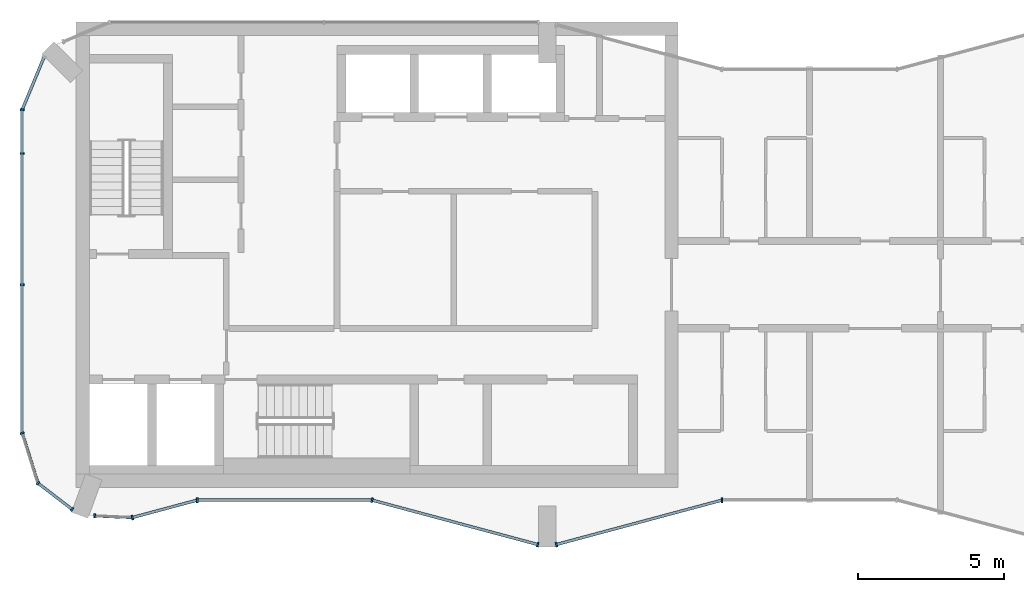
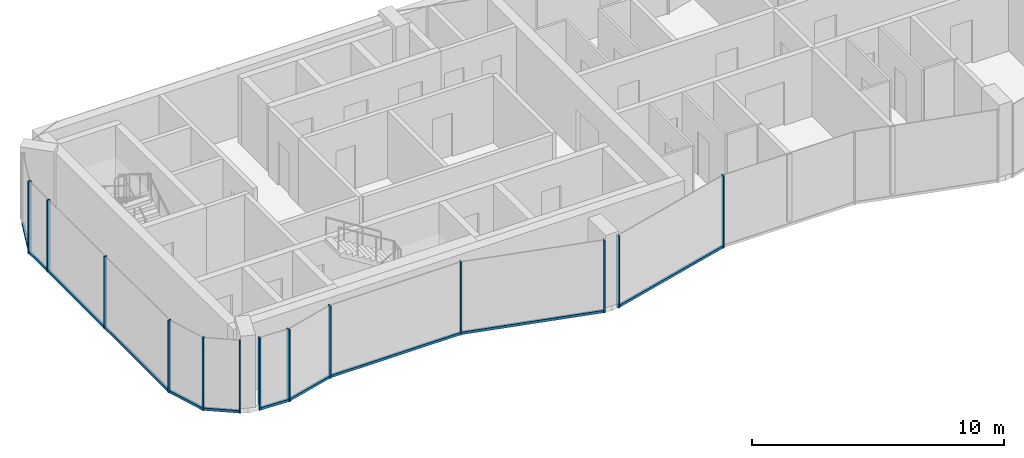
# One storey, part 2 of 10: 22 members, 10 elements without a shape of their own.
"""IFC4 building model written with IfcOpenShell, lengths in metres."""

from ifc_helpers import new_model, si_unit, direction, frame, origin, origin_2d, place, context, subcontext, project, spatial, rectangle, extrude, material, layer, layer_set, material_profile, profile_set, type_object, element, aggregate, save


model = new_model("IFC4")

# Units and contexts
model_context = context("Model", 3, precision=1e-05, world=origin(), true_north=direction((0.0, 1.0)))
body_context = subcontext(model_context, "Body", "Model", "MODEL_VIEW")
ifc_project = project(units=[si_unit("LENGTHUNIT", "METRE"), si_unit("AREAUNIT", "SQUARE_METRE"), si_unit("VOLUMEUNIT", "CUBIC_METRE"), si_unit("PLANEANGLEUNIT", "RADIAN"), si_unit("MASSUNIT", "GRAM", prefix="KILO")], contexts=[model_context])

# Site, building, storey
site_placement = place(None, origin())
site = spatial("IfcSite", under=ifc_project, at=site_placement, CompositionType="ELEMENT")
building_placement = place(site_placement, origin())
building = spatial("IfcBuilding", under=site, at=building_placement, Name="Plateau Cross Towers", CompositionType="ELEMENT")
storey_placement = place(building_placement, frame((0.0, 0.0, 259.89990234375)))
storey = spatial("IfcBuildingStorey", under=building, at=storey_placement, Name="L68", CompositionType="ELEMENT", Elevation=259.89990234375)

# Curtain wall, members
ifc_material_1 = material(Name="Dark low-iron glass", Category="glass")
ifc_layer_1 = layer(ifc_material_1, 0.239990234375)
ifc_layer_set_1 = layer_set([ifc_layer_1], Name="Dark low-iron glass")
curtain_wall_type_1 = type_object("IfcCurtainWallType", Name="Curtain wall flush unitised CW-B", PredefinedType="NOTDEFINED", material=ifc_layer_set_1)
curtain_wall_1_placement = place(storey_placement, origin())
curtain_wall_1 = element("IfcCurtainWall", 1, at=curtain_wall_1_placement, inside=storey, type_object=curtain_wall_type_1, Name="ENV/A/L68/A0_150", PredefinedType="NOTDEFINED")
ifc_material_2 = material(Name="Black anodised aluminium", Category="aluminium")
ifc_material_profile_1 = material_profile(ifc_material_2, rectangle(XDim=0.06005859375, YDim=0.139892578125, at=origin_2d()), Name="MULLION 60x140")
ifc_profile_set_1 = profile_set([ifc_material_profile_1], Name="Black anodised aluminium")
member_type_1 = type_object("IfcMemberType", Name="Mullion 60x140 flush unitised", PredefinedType="MULLION", material=ifc_profile_set_1)
member_1_placement = place(storey_placement, frame((0.0, 15.0, -0.25), z_axis=(0.0, 0.0, 1.0), x_axis=(0.0, -1.0, 0.0)))
member_1 = element("IfcMember", 2, at=member_1_placement, type_object=member_type_1, Name="CW-B mullion 1", PredefinedType="MULLION", context=body_context, shape_type="SweptSolid", body=[
    extrude(rectangle(XDim=0.06005859375, YDim=0.139892578125, at=origin_2d()), origin(), (0.0, 0.0, 1.0), 3.5),
])
member_2_placement = place(storey_placement, frame((0.0, 13.5, -0.25), z_axis=(0.0, 0.0, 1.0), x_axis=(0.0, -1.0, 0.0)))
member_2 = element("IfcMember", 3, at=member_2_placement, type_object=member_type_1, Name="CW-B mullion 2", PredefinedType="MULLION", context=body_context, shape_type="SweptSolid", body=[
    extrude(rectangle(XDim=0.06005859375, YDim=0.139892578125, at=origin_2d()), origin(), (0.0, 0.0, 1.0), 3.5),
])
member_3_placement = place(storey_placement, frame((0.0, 9.0, -0.25), z_axis=(0.0, 0.0, 1.0), x_axis=(0.0, -1.0, 0.0)))
member_3 = element("IfcMember", 4, at=member_3_placement, type_object=member_type_1, Name="CW-B mullion 3", PredefinedType="MULLION", context=body_context, shape_type="SweptSolid", body=[
    extrude(rectangle(XDim=0.06005859375, YDim=0.139892578125, at=origin_2d()), origin(), (0.0, 0.0, 1.0), 3.5),
])

# Curtain wall, member
curtain_wall_2_placement = place(storey_placement, origin())
curtain_wall_2 = element("IfcCurtainWall", 5, at=curtain_wall_2_placement, inside=storey, type_object=curtain_wall_type_1, Name="ENV/A/L68/A0_39", PredefinedType="NOTDEFINED")
member_4_placement = place(storey_placement, frame((0.0, 3.9091796875, -0.25), z_axis=(0.0, 0.0, 1.0), x_axis=(0.300686174994, -0.95372313811, 0.0)))
member_4 = element("IfcMember", 6, at=member_4_placement, type_object=member_type_1, Name="CW-B mullion 1", PredefinedType="MULLION", context=body_context, shape_type="SweptSolid", body=[
    extrude(rectangle(XDim=0.06005859375, YDim=0.139892578125, at=origin_2d()), origin(), (0.0, 0.0, 1.0), 3.5),
])

# Curtain wall, members
curtain_wall_3_placement = place(storey_placement, origin())
curtain_wall_3 = element("IfcCurtainWall", 7, at=curtain_wall_3_placement, inside=storey, type_object=curtain_wall_type_1, Name="ENV/A/L68/A5_22", PredefinedType="NOTDEFINED")
member_5_placement = place(storey_placement, frame((0.54248046875, 2.1884765625, -0.25), z_axis=(0.0, 0.0, 1.0), x_axis=(0.793315514529, -0.608810721331, 0.0)))
member_5 = element("IfcMember", 8, at=member_5_placement, type_object=member_type_1, Name="CW-B mullion 1", PredefinedType="MULLION", context=body_context, shape_type="SweptSolid", body=[
    extrude(rectangle(XDim=0.06005859375, YDim=0.139892578125, at=origin_2d()), origin(), (0.0, 0.0, 1.0), 3.5),
])
member_6_placement = place(storey_placement, frame((1.709716796875, 1.292724609375, -0.25), z_axis=(0.0, 0.0, 1.0), x_axis=(0.793315514529, -0.608810721331, 0.0)))
member_6 = element("IfcMember", 9, at=member_6_placement, type_object=member_type_1, Name="CW-B mullion 2", PredefinedType="MULLION", context=body_context, shape_type="SweptSolid", body=[
    extrude(rectangle(XDim=0.06005859375, YDim=0.139892578125, at=origin_2d()), origin(), (0.0, 0.0, 1.0), 3.5),
])

# Curtain wall, member
curtain_wall_4_placement = place(storey_placement, origin())
curtain_wall_4 = element("IfcCurtainWall", 10, at=curtain_wall_4_placement, inside=storey, type_object=curtain_wall_type_1, Name="ENV/A/L68/A25_11", PredefinedType="NOTDEFINED")
member_7_placement = place(storey_placement, frame((2.483642578125, 1.06787109375, -0.25), z_axis=(0.0, 0.0, 1.0), x_axis=(0.999043701491, -0.043722791671, 0.0)))
member_7 = element("IfcMember", 11, at=member_7_placement, type_object=member_type_1, Name="CW-B mullion 1", PredefinedType="MULLION", context=body_context, shape_type="SweptSolid", body=[
    extrude(rectangle(XDim=0.06005859375, YDim=0.139892578125, at=origin_2d()), origin(), (0.0, 0.0, 1.0), 3.5),
])

ifc_layer_2 = layer(ifc_material_1, 0.260009765625)
ifc_layer_set_2 = layer_set([ifc_layer_2], Name="Dark low-iron glass")
curtain_wall_type_2 = type_object("IfcCurtainWallType", Name="Curtain wall fluted unitised CW-A", PredefinedType="NOTDEFINED", material=ifc_layer_set_2)
curtain_wall_5_placement = place(storey_placement, origin())
curtain_wall_5 = element("IfcCurtainWall", 12, at=curtain_wall_5_placement, inside=storey, type_object=curtain_wall_type_2, Name="ENV/A/L68/A38_10", PredefinedType="NOTDEFINED")
ifc_material_profile_2 = material_profile(ifc_material_2, rectangle(XDim=0.06005859375, YDim=0.159912109375, at=origin_2d()), Name="MULLION 60x160")
ifc_profile_set_2 = profile_set([ifc_material_profile_2], Name="Black anodised aluminium")
member_type_2 = type_object("IfcMemberType", Name="Mullion 60x160 fluted unitised", PredefinedType="MULLION", material=ifc_profile_set_2)
member_8_placement = place(storey_placement, frame((3.776123046875, 1.01123046875, -0.25), z_axis=(0.0, 0.0, 1.0), x_axis=(0.965957962328, 0.258699081978, 0.0)))
member_8 = element("IfcMember", 13, at=member_8_placement, type_object=member_type_2, Name="CW-A mullion 1", PredefinedType="MULLION", context=body_context, shape_type="SweptSolid", body=[
    extrude(rectangle(XDim=0.06005859375, YDim=0.159912109375, at=origin_2d()), origin(), (0.0, 0.0, 1.0), 3.5),
])

curtain_wall_6_placement = place(storey_placement, origin())
curtain_wall_6 = element("IfcCurtainWall", 14, at=curtain_wall_6_placement, inside=storey, type_object=curtain_wall_type_2, Name="ENV/A/L68/A60_16", PredefinedType="NOTDEFINED")
member_9_placement = place(storey_placement, frame((6.0, 1.60693359375, -0.25), z_axis=(0.0, 0.0, 1.0), x_axis=(1.0, 0.0, 0.0)))
member_9 = element("IfcMember", 15, at=member_9_placement, type_object=member_type_2, Name="CW-A mullion 1", PredefinedType="MULLION", context=body_context, shape_type="SweptSolid", body=[
    extrude(rectangle(XDim=0.06005859375, YDim=0.159912109375, at=origin_2d()), origin(), (0.0, 0.0, 1.0), 3.5),
])

# Curtain wall, members
curtain_wall_7_placement = place(storey_placement, origin())
curtain_wall_7 = element("IfcCurtainWall", 16, at=curtain_wall_7_placement, inside=storey, type_object=curtain_wall_type_2, Name="ENV/A/L68/A120_16", PredefinedType="NOTDEFINED")
member_10_placement = place(storey_placement, frame((12.0, 1.60693359375, -0.25), z_axis=(0.0, 0.0, 1.0), x_axis=(0.965957983404, -0.258699003279, 0.0)))
member_10 = element("IfcMember", 17, at=member_10_placement, type_object=member_type_2, Name="CW-A mullion 1", PredefinedType="MULLION", context=body_context, shape_type="SweptSolid", body=[
    extrude(rectangle(XDim=0.06005859375, YDim=0.159912109375, at=origin_2d()), origin(), (0.0, 0.0, 1.0), 3.5),
])
member_11_placement = place(storey_placement, frame((17.68212890625, 0.085205078125, -0.25), z_axis=(0.0, 0.0, 1.0), x_axis=(0.965957983404, -0.258699003279, 0.0)))
member_11 = element("IfcMember", 18, at=member_11_placement, type_object=member_type_2, Name="CW-A mullion 2", PredefinedType="MULLION", context=body_context, shape_type="SweptSolid", body=[
    extrude(rectangle(XDim=0.06005859375, YDim=0.159912109375, at=origin_2d()), origin(), (0.0, 0.0, 1.0), 3.5),
])

# Curtain wall, member
curtain_wall_8_placement = place(storey_placement, origin())
curtain_wall_8 = element("IfcCurtainWall", 19, at=curtain_wall_8_placement, inside=storey, type_object=curtain_wall_type_2, Name="ENV/A/L68/A183_1", PredefinedType="NOTDEFINED")
member_12_placement = place(storey_placement, frame((18.31787109375, 0.085205078125, -0.25), z_axis=(0.0, 0.0, 1.0), x_axis=(0.965957983404, 0.258699003279, 0.0)))
member_12 = element("IfcMember", 20, at=member_12_placement, type_object=member_type_2, Name="CW-A mullion 1", PredefinedType="MULLION", context=body_context, shape_type="SweptSolid", body=[
    extrude(rectangle(XDim=0.06005859375, YDim=0.159912109375, at=origin_2d()), origin(), (0.0, 0.0, 1.0), 3.5),
])

curtain_wall_9_placement = place(storey_placement, origin())
curtain_wall_9 = element("IfcCurtainWall", 21, at=curtain_wall_9_placement, inside=storey, type_object=curtain_wall_type_2, Name="ENV/A/L68/A240_16", PredefinedType="NOTDEFINED")
member_13_placement = place(storey_placement, frame((24.0, 1.60693359375, -0.25), z_axis=(0.0, 0.0, 1.0), x_axis=(1.0, 0.0, 0.0)))
member_13 = element("IfcMember", 22, at=member_13_placement, type_object=member_type_2, Name="CW-A mullion 1", PredefinedType="MULLION", context=body_context, shape_type="SweptSolid", body=[
    extrude(rectangle(XDim=0.06005859375, YDim=0.159912109375, at=origin_2d()), origin(), (0.0, 0.0, 1.0), 3.5),
])
aggregate(curtain_wall_9, [member_13])

curtain_wall_10_placement = place(storey_placement, origin())
curtain_wall_10 = element("IfcCurtainWall", 23, at=curtain_wall_10_placement, inside=storey, type_object=curtain_wall_type_1, Name="ENV/A/L68/A7_168", PredefinedType="NOTDEFINED")
ifc_material_profile_3 = material_profile(ifc_material_2, rectangle(XDim=0.10009765625, YDim=0.1201171875, at=origin_2d()), Name="TRANSOM 100x120")
ifc_profile_set_3 = profile_set([ifc_material_profile_3], Name="Black anodised aluminium")
member_type_3 = type_object("IfcMemberType", Name="Transom 100x120 flush unitised", PredefinedType="USERDEFINED", material=ifc_profile_set_3)
member_14_placement = place(storey_placement, frame((0.748046875, 16.805908203125, -0.18994140625), z_axis=(-0.382690071798, -0.92387678234, 0.0), x_axis=(0.92387678234, -0.382690071798, 0.0)))
member_14 = element("IfcMember", 24, at=member_14_placement, type_object=member_type_3, Name="CW-B transom", ObjectType="TRANSOM", PredefinedType="USERDEFINED", context=body_context, shape_type="SweptSolid", body=[
    extrude(rectangle(XDim=0.10009765625, YDim=0.1201171875, at=origin_2d()), origin(), (0.0, 0.0, 1.0), 1.95458984375),
])
aggregate(curtain_wall_10, [member_14])

# Member
member_15_placement = place(storey_placement, frame((0.0, 15.0, -0.18994140625), z_axis=(0.0, -1.0, 0.0), x_axis=(1.0, 0.0, 0.0)))
member_15 = element("IfcMember", 25, at=member_15_placement, type_object=member_type_3, Name="CW-B transom", ObjectType="TRANSOM", PredefinedType="USERDEFINED", context=body_context, shape_type="SweptSolid", body=[
    extrude(rectangle(XDim=0.10009765625, YDim=0.1201171875, at=origin_2d()), origin(), (0.0, 0.0, 1.0), 11.0908203125),
])

aggregate(curtain_wall_1, [member_1, member_2, member_3, member_15])

member_16_placement = place(storey_placement, frame((0.0, 3.9091796875, -0.18994140625), z_axis=(0.30067799945, -0.953725715626, 0.0), x_axis=(0.953725715626, 0.30067799945, 0.0)))
member_16 = element("IfcMember", 26, at=member_16_placement, type_object=member_type_3, Name="CW-B transom", ObjectType="TRANSOM", PredefinedType="USERDEFINED", context=body_context, shape_type="SweptSolid", body=[
    extrude(rectangle(XDim=0.10009765625, YDim=0.1201171875, at=origin_2d()), origin(), (0.0, 0.0, 1.0), 1.80419921875),
])

aggregate(curtain_wall_2, [member_4, member_16])

member_17_placement = place(storey_placement, frame((0.54248046875, 2.1884765625, -0.18994140625), z_axis=(0.793320508571, -0.608804213751, 0.0), x_axis=(0.608804213751, 0.793320508571, 0.0)))
member_17 = element("IfcMember", 27, at=member_17_placement, type_object=member_type_3, Name="CW-B transom", ObjectType="TRANSOM", PredefinedType="USERDEFINED", context=body_context, shape_type="SweptSolid", body=[
    extrude(rectangle(XDim=0.10009765625, YDim=0.1201171875, at=origin_2d()), origin(), (0.0, 0.0, 1.0), 1.471435546875),
])

aggregate(curtain_wall_3, [member_5, member_6, member_17])

member_18_placement = place(storey_placement, frame((2.483642578125, 1.06787109375, -0.18994140625), z_axis=(0.999041144614, -0.043781175963, 0.0), x_axis=(0.043781175963, 0.999041144614, 0.0)))
member_18 = element("IfcMember", 28, at=member_18_placement, type_object=member_type_3, Name="CW-B transom", ObjectType="TRANSOM", PredefinedType="USERDEFINED", context=body_context, shape_type="SweptSolid", body=[
    extrude(rectangle(XDim=0.10009765625, YDim=0.1201171875, at=origin_2d()), origin(), (0.0, 0.0, 1.0), 1.293701171875),
])

aggregate(curtain_wall_4, [member_7, member_18])

ifc_material_profile_4 = material_profile(ifc_material_2, rectangle(XDim=0.10009765625, YDim=0.1201171875, at=origin_2d()), Name="TRANSOM 100x120")
ifc_profile_set_4 = profile_set([ifc_material_profile_4], Name="Black anodised aluminium")
member_type_4 = type_object("IfcMemberType", Name="Transom 100x120 fluted unitised", PredefinedType="USERDEFINED", material=ifc_profile_set_4)
member_19_placement = place(storey_placement, frame((3.776123046875, 1.01123046875, -0.18994140625), z_axis=(0.965945685136, 0.258744919501, 0.0), x_axis=(-0.258744919501, 0.965945685136, 0.0)))
member_19 = element("IfcMember", 29, at=member_19_placement, type_object=member_type_4, Name="CW-A transom", ObjectType="TRANSOM", PredefinedType="USERDEFINED", context=body_context, shape_type="SweptSolid", body=[
    extrude(rectangle(XDim=0.10009765625, YDim=0.1201171875, at=origin_2d()), origin(), (0.0, 0.0, 1.0), 2.30224609375),
])

aggregate(curtain_wall_5, [member_8, member_19])

member_20_placement = place(storey_placement, frame((6.0, 1.60693359375, -0.18994140625), z_axis=(1.0, 0.0, 0.0), x_axis=(0.0, 1.0, 0.0)))
member_20 = element("IfcMember", 30, at=member_20_placement, type_object=member_type_4, Name="CW-A transom", ObjectType="TRANSOM", PredefinedType="USERDEFINED", context=body_context, shape_type="SweptSolid", body=[
    extrude(rectangle(XDim=0.10009765625, YDim=0.1201171875, at=origin_2d()), origin(), (0.0, 0.0, 1.0), 6.0),
])

aggregate(curtain_wall_6, [member_9, member_20])

member_21_placement = place(storey_placement, frame((12.0, 1.60693359375, -0.18994140625), z_axis=(0.965959534794, -0.258693210465, 0.0), x_axis=(0.258693210465, 0.965959534794, 0.0)))
member_21 = element("IfcMember", 31, at=member_21_placement, type_object=member_type_4, Name="CW-A transom", ObjectType="TRANSOM", PredefinedType="USERDEFINED", context=body_context, shape_type="SweptSolid", body=[
    extrude(rectangle(XDim=0.10009765625, YDim=0.1201171875, at=origin_2d()), origin(), (0.0, 0.0, 1.0), 5.88232421875),
])

aggregate(curtain_wall_7, [member_10, member_11, member_21])

member_22_placement = place(storey_placement, frame((18.31787109375, 0.085205078125, -0.18994140625), z_axis=(0.965959534794, 0.258693210465, 0.0), x_axis=(-0.258693210465, 0.965959534794, 0.0)))
member_22 = element("IfcMember", 32, at=member_22_placement, type_object=member_type_4, Name="CW-A transom", ObjectType="TRANSOM", PredefinedType="USERDEFINED", context=body_context, shape_type="SweptSolid", body=[
    extrude(rectangle(XDim=0.10009765625, YDim=0.1201171875, at=origin_2d()), origin(), (0.0, 0.0, 1.0), 5.88232421875),
])

aggregate(curtain_wall_8, [member_12, member_22])

save(model, "model.ifc")
